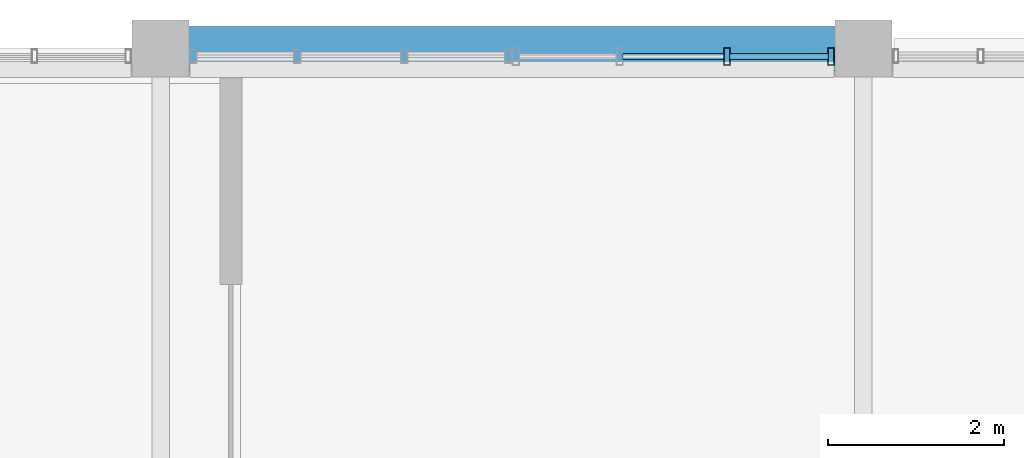
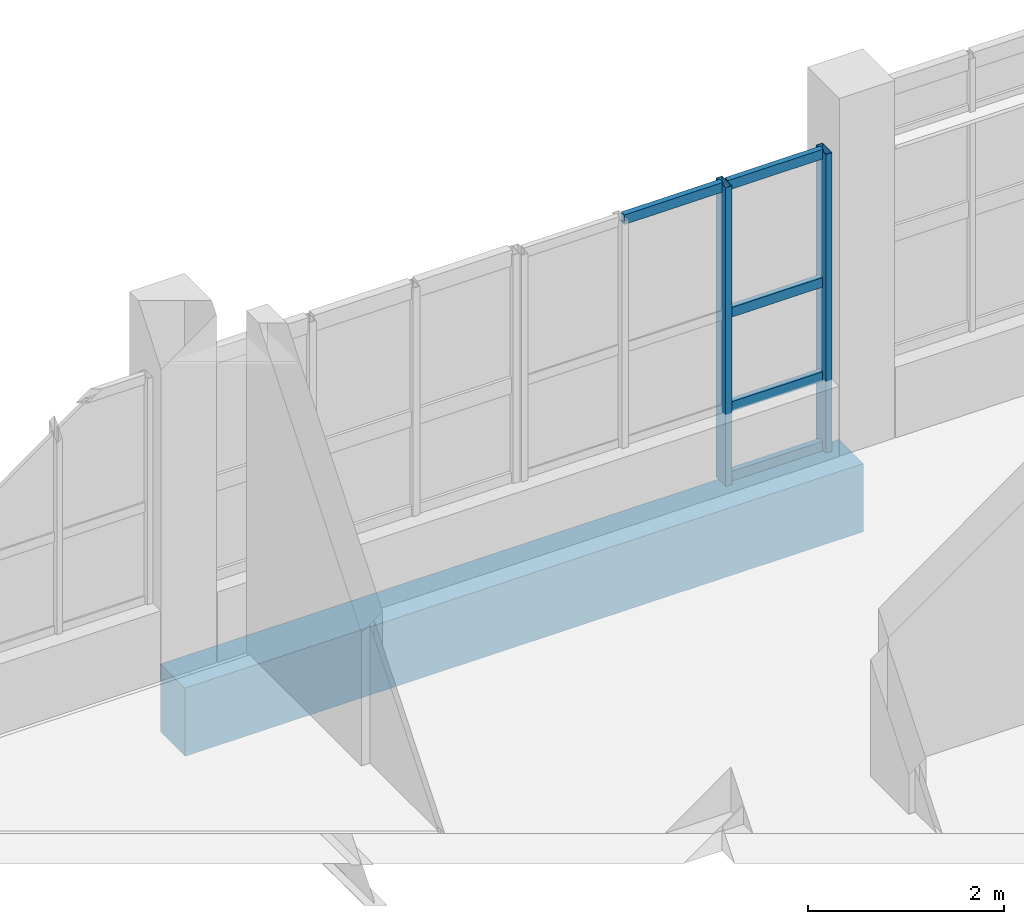
# One storey, part 16 of 38: 7 members, 1 beam, 1 element without a shape of its own.
"""IFC4 building model written with IfcOpenShell, lengths in metres."""

from ifc_helpers import new_model, si_unit, derived_unit, direction, frame, origin, origin_2d, place, context, subcontext, project, spatial, rectangle, hollow_rectangle, extrude, material, layer, layer_set, material_profile, profile_set, type_object, element, aggregate, save


model = new_model("IFC4")

# Units and contexts
model_context = context("Model", 3, precision=1e-05, world=origin(), true_north=direction((0.0, 1.0)))
body_context = subcontext(model_context, "Body", "Model", "MODEL_VIEW")
ifc_project = project(units=[si_unit("LENGTHUNIT", "METRE"), si_unit("AREAUNIT", "SQUARE_METRE"), si_unit("VOLUMEUNIT", "CUBIC_METRE"), si_unit("PLANEANGLEUNIT", "RADIAN"), si_unit("MASSUNIT", "GRAM", prefix="KILO"), derived_unit("THERMALTRANSMITTANCEUNIT", [(si_unit("POWERUNIT", "WATT"), 1), (si_unit("LENGTHUNIT", "METRE"), -2), (si_unit("THERMODYNAMICTEMPERATUREUNIT", "KELVIN"), -1)])], contexts=[model_context])

# Site, building, storey
site_placement = place(None, origin())
site = spatial("IfcSite", under=ifc_project, at=site_placement, CompositionType="ELEMENT")
building_placement = place(site_placement, origin())
building = spatial("IfcBuilding", under=site, at=building_placement, Name="Nallur Shell Playhouse", CompositionType="ELEMENT")
storey_placement = place(building_placement, frame((0.0, 0.0, 24.300048828125)))
storey = spatial("IfcBuildingStorey", under=building, at=storey_placement, Name="L06", CompositionType="ELEMENT", Elevation=24.300048828125)

# Beam
ifc_material_1 = material(Name="Concrete M40", Category="concrete")
ifc_material_profile_1 = material_profile(ifc_material_1, rectangle(XDim=0.5, YDim=0.85009765625, at=origin_2d()), Name="RC 500x850")
ifc_profile_set_1 = profile_set([ifc_material_profile_1], Name="Concrete M40")
beam_type = type_object("IfcBeamType", Name="BM-RC-500x850", PredefinedType="BEAM", material=ifc_profile_set_1)
beam_placement = place(storey_placement, frame((40.0, 83.0, -0.675048828125), z_axis=(1.0, 0.0, 0.0), x_axis=(0.0, 1.0, 0.0)))
element("IfcBeam", 1, at=beam_placement, inside=storey, type_object=beam_type, Name="L06 girder X-K-1149", PredefinedType="BEAM", context=body_context, shape_type="SweptSolid", body=[
    extrude(rectangle(XDim=0.5, YDim=0.85009765625, at=origin_2d()), origin(), (0.0, 0.0, 1.0), 8.0),
])

# Curtain wall, members
ifc_material_2 = material(Name="Anodised Aluminium Double-Glazed Facade System", Category="aluminium")
ifc_layer = layer(ifc_material_2, 0.172119140625)
ifc_layer_set = layer_set([ifc_layer], Name="Anodised Aluminium Double-Glazed Facade System")
curtain_wall_type = type_object("IfcCurtainWallType", Name="CW-UNIT-03", PredefinedType="NOTDEFINED", material=ifc_layer_set)
curtain_wall_placement = place(storey_placement, origin())
curtain_wall = element("IfcCurtainWall", 2, at=curtain_wall_placement, inside=storey, type_object=curtain_wall_type, Name="Unitised curtain wall CW-195 (L06)", PredefinedType="NOTDEFINED")
ifc_material_3 = material(Name="Aluminium Alloy 6063-T6 Mullion", Category="aluminium")
ifc_material_profile_2 = material_profile(ifc_material_3, hollow_rectangle(XDim=0.074951171875, YDim=0.199951171875, WallThickness=0.0048828125, at=origin_2d()), Name="ALU 75x200x5")
ifc_profile_set_2 = profile_set([ifc_material_profile_2], Name="Aluminium Alloy 6063-T6 Mullion")
member_type_1 = type_object("IfcMemberType", Name="MB-CW-MUL180", PredefinedType="MULLION", material=ifc_profile_set_2)
member_1_placement = place(storey_placement, frame((46.4462890625, 82.909912109375, -0.01513671875), z_axis=(0.0, 0.0, 1.0), x_axis=(1.0, 0.0, 0.0)))
member_1 = element("IfcMember", 3, at=member_1_placement, type_object=member_type_1, Name="CW-03 mullion 3", PredefinedType="MULLION", context=body_context, shape_type="SweptSolid", body=[
    extrude(hollow_rectangle(XDim=0.074951171875, YDim=0.199951171875, WallThickness=0.0048828125, at=origin_2d()), origin(), (0.0, 0.0, 1.0), 3.72412109375),
])
member_2_placement = place(storey_placement, frame((47.62939453125, 82.909912109375, -0.01513671875), z_axis=(0.0, 0.0, 1.0), x_axis=(1.0, 0.0, 0.0)))
member_2 = element("IfcMember", 4, at=member_2_placement, type_object=member_type_1, Name="CW-03 mullion 4", PredefinedType="MULLION", context=body_context, shape_type="SweptSolid", body=[
    extrude(hollow_rectangle(XDim=0.074951171875, YDim=0.199951171875, WallThickness=0.0048828125, at=origin_2d()), origin(), (0.0, 0.0, 1.0), 3.72412109375),
])
ifc_material_4 = material(Name="Aluminium Alloy 6063-T6 Transom", Category="aluminium")
ifc_material_profile_3 = material_profile(ifc_material_4, hollow_rectangle(XDim=0.06494140625, YDim=0.1201171875, WallThickness=0.00390625, at=origin_2d()), Name="ALU 65x120x4")
ifc_profile_set_3 = profile_set([ifc_material_profile_3], Name="Aluminium Alloy 6063-T6 Transom")
member_type_2 = type_object("IfcMemberType", Name="MB-CW-TRN120", PredefinedType="USERDEFINED", material=ifc_profile_set_3)
member_3_placement = place(storey_placement, frame((45.255126953125, 82.909912109375, 3.67236328125), z_axis=(1.0, 0.0, 0.0), x_axis=(0.0, 1.0, 0.0)))
member_3 = element("IfcMember", 5, at=member_3_placement, type_object=member_type_2, Name="CW-03 transom 2.4", ObjectType="TRANSOM", PredefinedType="USERDEFINED", context=body_context, shape_type="SweptSolid", body=[
    extrude(hollow_rectangle(XDim=0.06494140625, YDim=0.1201171875, WallThickness=0.00390625, at=origin_2d()), origin(), (0.0, 0.0, 1.0), 1.16162109375),
])
member_4_placement = place(storey_placement, frame((46.475830078125, 82.909912109375, 0.032470703125), z_axis=(1.0, 0.0, 0.0), x_axis=(0.0, 1.0, 0.0)))
member_4 = element("IfcMember", 6, at=member_4_placement, type_object=member_type_2, Name="CW-03 transom 3.1", ObjectType="TRANSOM", PredefinedType="USERDEFINED", context=body_context, shape_type="SweptSolid", body=[
    extrude(hollow_rectangle(XDim=0.06494140625, YDim=0.1201171875, WallThickness=0.00390625, at=origin_2d()), origin(), (0.0, 0.0, 1.0), 1.124267578125),
])
member_5_placement = place(storey_placement, frame((46.475830078125, 82.909912109375, 0.89990234375), z_axis=(1.0, 0.0, 0.0), x_axis=(0.0, 1.0, 0.0)))
member_5 = element("IfcMember", 7, at=member_5_placement, type_object=member_type_2, Name="CW-03 transom 3.2", ObjectType="TRANSOM", PredefinedType="USERDEFINED", context=body_context, shape_type="SweptSolid", body=[
    extrude(hollow_rectangle(XDim=0.06494140625, YDim=0.1201171875, WallThickness=0.00390625, at=origin_2d()), origin(), (0.0, 0.0, 1.0), 1.124267578125),
])
member_6_placement = place(storey_placement, frame((46.475830078125, 82.909912109375, 2.074951171875), z_axis=(1.0, 0.0, 0.0), x_axis=(0.0, 1.0, 0.0)))
member_6 = element("IfcMember", 8, at=member_6_placement, type_object=member_type_2, Name="CW-03 transom 3.3", ObjectType="TRANSOM", PredefinedType="USERDEFINED", context=body_context, shape_type="SweptSolid", body=[
    extrude(hollow_rectangle(XDim=0.06494140625, YDim=0.1201171875, WallThickness=0.00390625, at=origin_2d()), origin(), (0.0, 0.0, 1.0), 1.124267578125),
])
member_7_placement = place(storey_placement, frame((46.475830078125, 82.909912109375, 3.67236328125), z_axis=(1.0, 0.0, 0.0), x_axis=(0.0, 1.0, 0.0)))
member_7 = element("IfcMember", 9, at=member_7_placement, type_object=member_type_2, Name="CW-03 transom 3.4", ObjectType="TRANSOM", PredefinedType="USERDEFINED", context=body_context, shape_type="SweptSolid", body=[
    extrude(hollow_rectangle(XDim=0.06494140625, YDim=0.1201171875, WallThickness=0.00390625, at=origin_2d()), origin(), (0.0, 0.0, 1.0), 1.124267578125),
])
aggregate(curtain_wall, [member_1, member_2, member_3, member_4, member_5, member_6, member_7])

save(model, "model.ifc")
